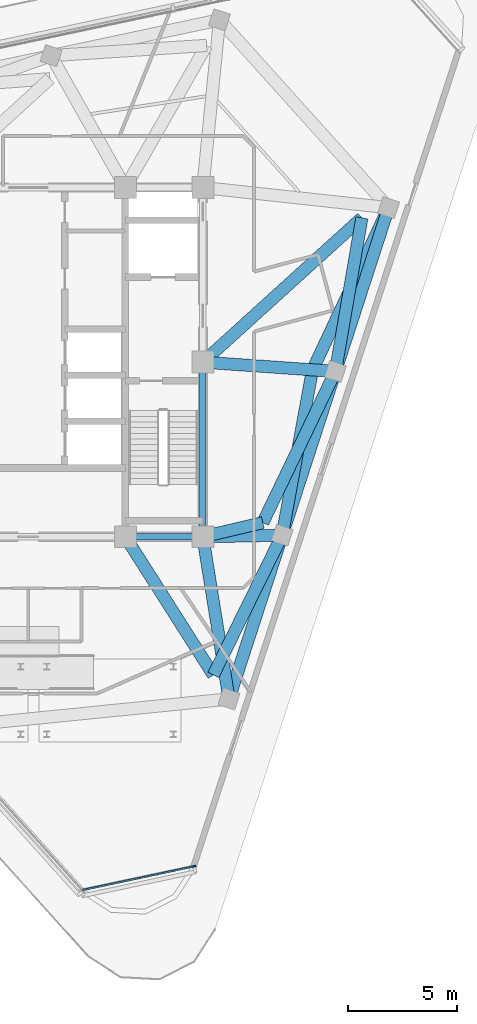
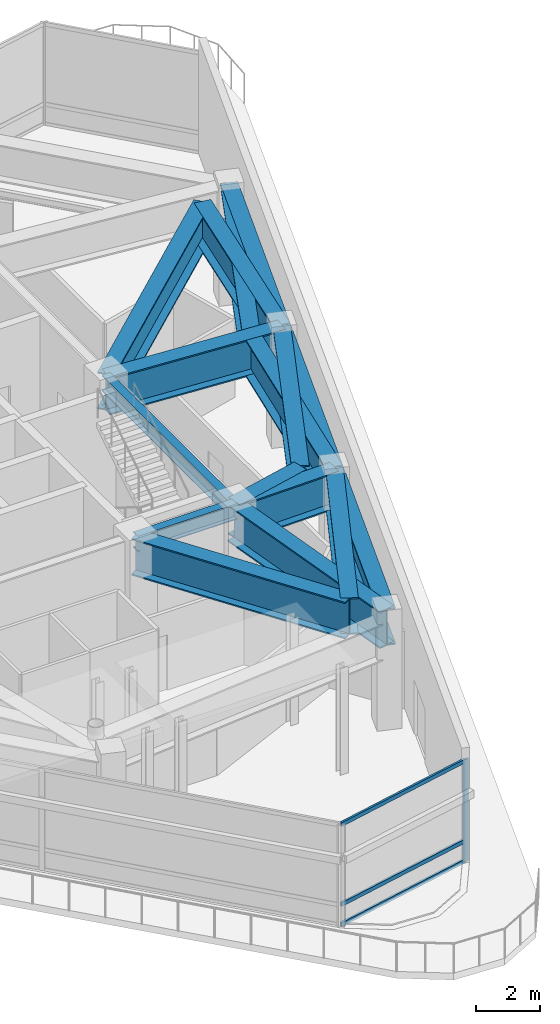
# One storey, part 5 of 15: 16 beams, 4 members, 1 element without a shape of its own.
"""IFC4 building model written with IfcOpenShell, lengths in metres."""

from ifc_helpers import new_model, si_unit, direction, frame, origin, origin_2d, place, context, subcontext, project, spatial, rectangle, i_section, extrude, material, layer, layer_set, material_profile, profile_set, type_object, element, aggregate, save


model = new_model("IFC4")

# Units and contexts
model_context = context("Model", 3, precision=1e-05, world=origin(), true_north=direction((0.0, 1.0)))
body_context = subcontext(model_context, "Body", "Model", "MODEL_VIEW")
ifc_project = project(units=[si_unit("LENGTHUNIT", "METRE"), si_unit("AREAUNIT", "SQUARE_METRE"), si_unit("VOLUMEUNIT", "CUBIC_METRE"), si_unit("PLANEANGLEUNIT", "RADIAN"), si_unit("MASSUNIT", "GRAM", prefix="KILO")], contexts=[model_context])

# Site, building, storey
site_placement = place(None, origin())
site = spatial("IfcSite", under=ifc_project, at=site_placement, CompositionType="ELEMENT")
building_placement = place(site_placement, origin())
building = spatial("IfcBuilding", under=site, at=building_placement, Name="Terralouvre Media Tower", CompositionType="ELEMENT")
storey_placement = place(building_placement, frame((0.0, 0.0, 312.800048828125)))
storey = spatial("IfcBuildingStorey", under=building, at=storey_placement, Name="L81", CompositionType="ELEMENT", Elevation=312.800048828125)

# Curtain wall, members
ifc_material_1 = material(Name="Low-iron laminated double glazing with solar-control coating", Category="glass")
ifc_layer = layer(ifc_material_1, 0.1650390625, Name="Rounded Wind-Corner Curved Glazing CW-04")
ifc_layer_set = layer_set([ifc_layer], Name="Low-iron laminated double glazing with solar-control coating")
curtain_wall_type = type_object("IfcCurtainWallType", Name="Rounded Wind-Corner Curved Glazing CW-04", PredefinedType="NOTDEFINED", material=ifc_layer_set)
curtain_wall_placement = place(storey_placement, origin())
curtain_wall = element("IfcCurtainWall", 1, at=curtain_wall_placement, inside=storey, type_object=curtain_wall_type, Name="L81 Rounded Wind-Corner Curtain Wall C0", PredefinedType="NOTDEFINED")
ifc_material_2 = material(Name="Anodised extruded aluminium 6063-T6", Category="aluminium")
ifc_material_profile_1 = material_profile(ifc_material_2, rectangle(XDim=0.074951171875, YDim=0.14990234375, at=origin_2d()), Name="ALU 75x150")
ifc_profile_set_1 = profile_set([ifc_material_profile_1], Name="Anodised extruded aluminium 6063-T6")
member_type_1 = type_object("IfcMemberType", Name="Curtain-Wall Horizontal Transom TR-150", PredefinedType="USERDEFINED", material=ifc_profile_set_1)
member_1_placement = place(storey_placement, frame((2.48974609375, -24.181396484375, 0.037353515625), z_axis=(0.978149754444, 0.207901558149, 0.0), x_axis=(-0.207901558149, 0.978149754444, 0.0)))
member_1 = element("IfcMember", 2, at=member_1_placement, type_object=member_type_1, Name="CW-04 transom 1.1", ObjectType="TRANSOM", PredefinedType="USERDEFINED", context=body_context, shape_type="SweptSolid", body=[
    extrude(rectangle(XDim=0.074951171875, YDim=0.14990234375, at=origin_2d()), origin(), (0.0, 0.0, 1.0), 5.1845703125),
])
member_2_placement = place(storey_placement, frame((2.48974609375, -24.181396484375, 0.800048828125), z_axis=(0.978149754444, 0.207901558149, 0.0), x_axis=(-0.207901558149, 0.978149754444, 0.0)))
member_2 = element("IfcMember", 3, at=member_2_placement, type_object=member_type_1, Name="CW-04 transom 1.2", ObjectType="TRANSOM", PredefinedType="USERDEFINED", context=body_context, shape_type="SweptSolid", body=[
    extrude(rectangle(XDim=0.074951171875, YDim=0.14990234375, at=origin_2d()), origin(), (0.0, 0.0, 1.0), 5.1845703125),
])
member_3_placement = place(storey_placement, frame((2.48974609375, -24.181396484375, 3.842529296875), z_axis=(0.978149754444, 0.207901558149, 0.0), x_axis=(-0.207901558149, 0.978149754444, 0.0)))
member_3 = element("IfcMember", 4, at=member_3_placement, type_object=member_type_1, Name="CW-04 transom 1.3", ObjectType="TRANSOM", PredefinedType="USERDEFINED", context=body_context, shape_type="SweptSolid", body=[
    extrude(rectangle(XDim=0.074951171875, YDim=0.14990234375, at=origin_2d()), origin(), (0.0, 0.0, 1.0), 5.1845703125),
])
ifc_material_3 = material(Name="Anodised extruded aluminium 6063-T6", Category="aluminium")
ifc_material_profile_2 = material_profile(ifc_material_3, rectangle(XDim=0.074951171875, YDim=0.179931640625, at=origin_2d()), Name="ALU 75x180")
ifc_profile_set_2 = profile_set([ifc_material_profile_2], Name="Anodised extruded aluminium 6063-T6")
member_type_2 = type_object("IfcMemberType", Name="Curtain-Wall Vertical Mullion ML-180", PredefinedType="MULLION", material=ifc_profile_set_2)
member_4_placement = place(storey_placement, frame((7.59765625, -23.095703125, 0.0), z_axis=(0.0, 0.0, 1.0), x_axis=(-0.207911709341, 0.978147596797, 0.0)))
member_4 = element("IfcMember", 5, at=member_4_placement, type_object=member_type_2, Name="CW-04 mullion 2", PredefinedType="MULLION", context=body_context, shape_type="SweptSolid", body=[
    extrude(rectangle(XDim=0.074951171875, YDim=0.179931640625, at=origin_2d()), origin(), (0.0, 0.0, 1.0), 3.8798828125),
])
aggregate(curtain_wall, [member_4, member_1, member_2, member_3])

# Beams
ifc_material_4 = material(Name="Structural steel S460M", Category="steel")
ifc_material_profile_3 = material_profile(ifc_material_4, i_section(OverallWidth=0.300048828125, OverallDepth=0.60009765625, WebThickness=0.015380859375, FlangeThickness=0.030029296875, at=origin_2d()), Name="HEB 600")
ifc_profile_set_3 = profile_set([ifc_material_profile_3], Name="Structural steel S460M")
beam_type_1 = type_object("IfcBeamType", Name="Primary Floor Girder B-HEB600 (HEB 600)", PredefinedType="BEAM", material=ifc_profile_set_3)
beam_1_placement = place(storey_placement, frame((4.449951171875, -8.0, 4.079833984375), z_axis=(1.0, 0.0, 0.0), x_axis=(0.0, 1.0, 0.0)))
element("IfcBeam", 6, at=beam_1_placement, inside=storey, type_object=beam_type_1, Name="L81 Framing Beam BM-L81-CPR03", PredefinedType="BEAM", context=body_context, shape_type="SweptSolid", body=[
    extrude(i_section(OverallWidth=0.300048828125, OverallDepth=0.60009765625, WebThickness=0.015380859375, FlangeThickness=0.030029296875, at=origin_2d()), origin(), (0.0, 0.0, 1.0), 3.550048828125),
])
beam_2_placement = place(storey_placement, frame((8.0, -8.0, 4.079833984375), z_axis=(0.0, 1.0, 0.0), x_axis=(-1.0, 0.0, 0.0)))
element("IfcBeam", 7, at=beam_2_placement, inside=storey, type_object=beam_type_1, Name="L81 Framing Beam BM-L81-CPR04", PredefinedType="BEAM", context=body_context, shape_type="SweptSolid", body=[
    extrude(i_section(OverallWidth=0.300048828125, OverallDepth=0.60009765625, WebThickness=0.015380859375, FlangeThickness=0.030029296875, at=origin_2d()), origin(), (0.0, 0.0, 1.0), 8.0),
])
ifc_material_5 = material(Name="Structural steel S460M", Category="steel")
ifc_material_profile_4 = material_profile(ifc_material_5, i_section(OverallWidth=0.56005859375, OverallDepth=1.39990234375, WebThickness=0.031982421875, FlangeThickness=0.050048828125, at=origin_2d()), Name="TG 1400x560")
ifc_profile_set_4 = profile_set([ifc_material_profile_4], Name="Structural steel S460M")
beam_type_2 = type_object("IfcBeamType", Name="Welded Transfer Girder TG-1400 (TG 1400x560)", PredefinedType="USERDEFINED", material=ifc_profile_set_4)
for number, where, z_axis, x_axis, name in (
    (8, (9.197509765625, -15.429443359375, 3.679931640625), (0.30901328707, 0.951057720863, 0.0), (-0.951057720863, 0.30901328707, 0.0), "L81 Framing Beam BM-L81-PR06"),
    (9, (11.635009765625, -7.927490234375, 3.679931640625), (0.30901328707, 0.951057720863, 0.0), (-0.951057720863, 0.30901328707, 0.0), "L81 Framing Beam BM-L81-PR07"),
):
    element("IfcBeam", number, at=place(storey_placement, frame(where, z_axis=z_axis, x_axis=x_axis)), inside=storey, type_object=beam_type_2, Name=name, ObjectType="TRANSFER GIRDER", PredefinedType="USERDEFINED", context=body_context, shape_type="SweptSolid", body=[
        extrude(i_section(OverallWidth=0.56005859375, OverallDepth=1.39990234375, WebThickness=0.031982421875, FlangeThickness=0.050048828125, at=origin_2d()), origin(), (0.0, 0.0, 1.0), 7.887939453125),
    ])
beam_3_placement = place(storey_placement, frame((14.072509765625, -0.425537109375, 3.679931640625), z_axis=(0.309041282047, 0.951048624409, 0.0), x_axis=(-0.951048624409, 0.309041282047, 0.0)))
element("IfcBeam", 10, at=beam_3_placement, inside=storey, type_object=beam_type_2, Name="L81 Framing Beam BM-L81-PR08", ObjectType="TRANSFER GIRDER", PredefinedType="USERDEFINED", context=body_context, shape_type="SweptSolid", body=[
    extrude(i_section(OverallWidth=0.56005859375, OverallDepth=1.39990234375, WebThickness=0.031982421875, FlangeThickness=0.050048828125, at=origin_2d()), origin(), (0.0, 0.0, 1.0), 7.88818359375),
])
beam_4_placement = place(storey_placement, frame((8.0, -8.0, 3.679931640625), z_axis=(0.159130438244, -0.987257567013, 0.0), x_axis=(0.987257567013, 0.159130438244, 0.0)))
element("IfcBeam", 11, at=beam_4_placement, inside=storey, type_object=beam_type_2, Name="L81 Framing Beam BM-L81-RD06", ObjectType="TRANSFER GIRDER", PredefinedType="USERDEFINED", context=body_context, shape_type="SweptSolid", body=[
    extrude(i_section(OverallWidth=0.56005859375, OverallDepth=1.39990234375, WebThickness=0.031982421875, FlangeThickness=0.050048828125, at=origin_2d()), origin(), (0.0, 0.0, 1.0), 7.525390625),
])
beam_5_placement = place(storey_placement, frame((8.0, -8.0, 3.679931640625), z_axis=(0.999801105735, 0.019943644866, 0.0), x_axis=(-0.019943644866, 0.999801105735, 0.0)))
element("IfcBeam", 12, at=beam_5_placement, inside=storey, type_object=beam_type_2, Name="L81 Framing Beam BM-L81-RD07", ObjectType="TRANSFER GIRDER", PredefinedType="USERDEFINED", context=body_context, shape_type="SweptSolid", body=[
    extrude(i_section(OverallWidth=0.56005859375, OverallDepth=1.39990234375, WebThickness=0.031982421875, FlangeThickness=0.050048828125, at=origin_2d()), origin(), (0.0, 0.0, 1.0), 3.6357421875),
])
beam_6_placement = place(storey_placement, frame((8.0, 0.0, 3.679931640625), z_axis=(0.997553684154, -0.069904558014, 0.0), x_axis=(0.069904558014, 0.997553684154, 0.0)))
element("IfcBeam", 13, at=beam_6_placement, inside=storey, type_object=beam_type_2, Name="L81 Framing Beam BM-L81-RD08", ObjectType="TRANSFER GIRDER", PredefinedType="USERDEFINED", context=body_context, shape_type="SweptSolid", body=[
    extrude(i_section(OverallWidth=0.56005859375, OverallDepth=1.39990234375, WebThickness=0.031982421875, FlangeThickness=0.050048828125, at=origin_2d()), origin(), (0.0, 0.0, 1.0), 6.08740234375),
])
beam_7_placement = place(storey_placement, frame((8.48046875, -14.33203125, 3.679931640625), z_axis=(0.441857216111, 0.897085392017, 0.0), x_axis=(-0.897085392017, 0.441857216111, 0.0)))
element("IfcBeam", 14, at=beam_7_placement, inside=storey, type_object=beam_type_2, Name="L81 Framing Beam BM-L81-TR01S1", ObjectType="TRANSFER GIRDER", PredefinedType="USERDEFINED", context=body_context, shape_type="SweptSolid", body=[
    extrude(i_section(OverallWidth=0.56005859375, OverallDepth=1.39990234375, WebThickness=0.031982421875, FlangeThickness=0.050048828125, at=origin_2d()), origin(), (0.0, 0.0, 1.0), 7.13916015625),
])
beam_8_placement = place(storey_placement, frame((8.48046875, -14.33203125, 3.679931640625), z_axis=(-0.536974406301, 0.843598534243, 0.0), x_axis=(-0.843598534243, -0.536974406301, 0.0)))
element("IfcBeam", 15, at=beam_8_placement, inside=storey, type_object=beam_type_2, Name="L81 Framing Beam BM-L81-TR01S2", ObjectType="TRANSFER GIRDER", PredefinedType="USERDEFINED", context=body_context, shape_type="SweptSolid", body=[
    extrude(i_section(OverallWidth=0.56005859375, OverallDepth=1.39990234375, WebThickness=0.031982421875, FlangeThickness=0.050048828125, at=origin_2d()), origin(), (0.0, 0.0, 1.0), 7.505859375),
])
beam_9_placement = place(storey_placement, frame((10.748779296875, -7.351318359375, 3.679931640625), z_axis=(-0.973266177451, -0.229680098898, 0.0), x_axis=(0.229680098898, -0.973266177451, 0.0)))
element("IfcBeam", 16, at=beam_9_placement, inside=storey, type_object=beam_type_2, Name="L81 Framing Beam BM-L81-TR02S1", ObjectType="TRANSFER GIRDER", PredefinedType="USERDEFINED", context=body_context, shape_type="SweptSolid", body=[
    extrude(i_section(OverallWidth=0.56005859375, OverallDepth=1.39990234375, WebThickness=0.031982421875, FlangeThickness=0.050048828125, at=origin_2d()), origin(), (0.0, 0.0, 1.0), 2.82421875),
])
for number, where, z_axis, x_axis, name in (
    (17, (10.748779296875, -7.351318359375, 3.679931640625), (0.432662876221, 0.90155578615, 0.0), (-0.90155578615, 0.432662876221, 0.0), "L81 Framing Beam BM-L81-TR02S2"),
    (18, (13.016845703125, -0.37060546875, 3.679931640625), (-0.179875361286, -0.98368940952, 0.0), (0.98368940952, -0.179875361286, 0.0), "L81 Framing Beam BM-L81-TR03S1"),
):
    element("IfcBeam", number, at=place(storey_placement, frame(where, z_axis=z_axis, x_axis=x_axis)), inside=storey, type_object=beam_type_2, Name=name, ObjectType="TRANSFER GIRDER", PredefinedType="USERDEFINED", context=body_context, shape_type="SweptSolid", body=[
        extrude(i_section(OverallWidth=0.56005859375, OverallDepth=1.39990234375, WebThickness=0.031982421875, FlangeThickness=0.050048828125, at=origin_2d()), origin(), (0.0, 0.0, 1.0), 7.68212890625),
    ])
beam_10_placement = place(storey_placement, frame((13.016845703125, -0.37060546875, 3.679931640625), z_axis=(0.424694683612, 0.905336636678, 0.0), x_axis=(-0.905336636678, 0.424694683612, 0.0)))
element("IfcBeam", 19, at=beam_10_placement, inside=storey, type_object=beam_type_2, Name="L81 Framing Beam BM-L81-TR03S2", ObjectType="TRANSFER GIRDER", PredefinedType="USERDEFINED", context=body_context, shape_type="SweptSolid", body=[
    extrude(i_section(OverallWidth=0.56005859375, OverallDepth=1.39990234375, WebThickness=0.031982421875, FlangeThickness=0.050048828125, at=origin_2d()), origin(), (0.0, 0.0, 1.0), 8.2255859375),
])
beam_11_placement = place(storey_placement, frame((15.28515625, 6.610107421875, 3.679931640625), z_axis=(-0.169853094572, -0.985469393875, 0.0), x_axis=(0.985469393875, -0.169853094572, 0.0)))
element("IfcBeam", 20, at=beam_11_placement, inside=storey, type_object=beam_type_2, Name="L81 Framing Beam BM-L81-TR04S1", ObjectType="TRANSFER GIRDER", PredefinedType="USERDEFINED", context=body_context, shape_type="SweptSolid", body=[
    extrude(i_section(OverallWidth=0.56005859375, OverallDepth=1.39990234375, WebThickness=0.031982421875, FlangeThickness=0.050048828125, at=origin_2d()), origin(), (0.0, 0.0, 1.0), 7.139404296875),
])
beam_12_placement = place(storey_placement, frame((15.28515625, 6.610107421875, 3.679931640625), z_axis=(-0.740585463913, -0.671962179472, 0.0), x_axis=(0.671962179472, -0.740585463913, 0.0)))
element("IfcBeam", 21, at=beam_12_placement, inside=storey, type_object=beam_type_2, Name="L81 Framing Beam BM-L81-TR04S2", ObjectType="TRANSFER GIRDER", PredefinedType="USERDEFINED", context=body_context, shape_type="SweptSolid", body=[
    extrude(i_section(OverallWidth=0.56005859375, OverallDepth=1.39990234375, WebThickness=0.031982421875, FlangeThickness=0.050048828125, at=origin_2d()), origin(), (0.0, 0.0, 1.0), 9.8369140625),
])

save(model, "model.ifc")
